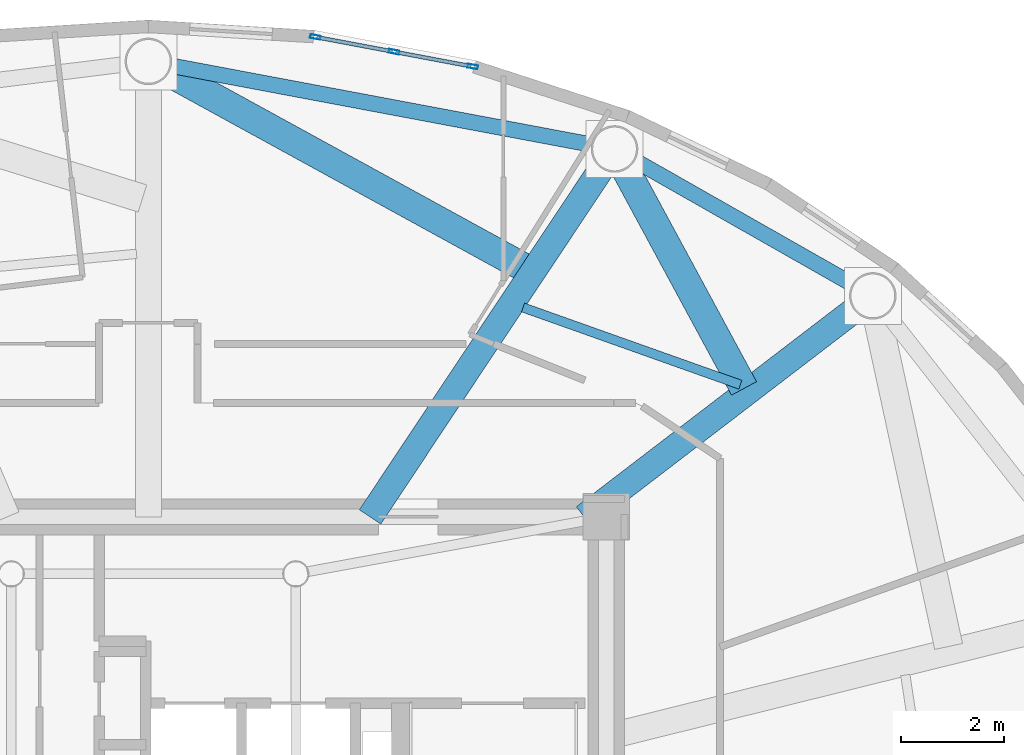
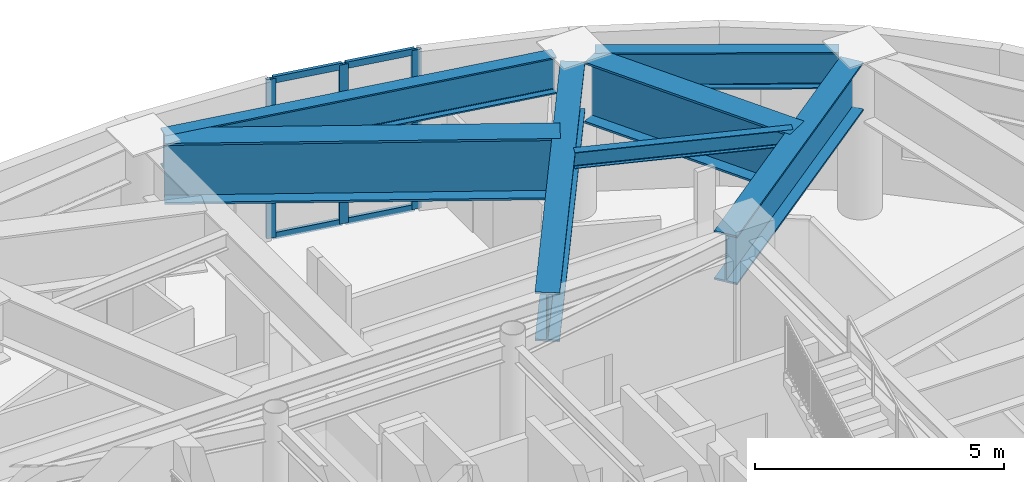
# One storey, part 10 of 23: 7 beams, 7 members, 1 element without a shape of its own.
"""IFC4 building model written with IfcOpenShell, lengths in metres."""

from ifc_helpers import new_model, si_unit, direction, frame, origin, origin_2d, place, context, subcontext, project, spatial, hollow_rectangle, i_section, extrude, source, transform, mapped, material, layer, layer_set, material_profile, profile_set, type_object, element, aggregate, save


model = new_model("IFC4")

# Units and contexts
model_context = context("Model", 3, precision=1e-05, world=origin(), true_north=direction((0.0, 1.0)))
body_context = subcontext(model_context, "Body", "Model", "MODEL_VIEW")
ifc_project = project(units=[si_unit("LENGTHUNIT", "METRE"), si_unit("AREAUNIT", "SQUARE_METRE"), si_unit("VOLUMEUNIT", "CUBIC_METRE"), si_unit("PLANEANGLEUNIT", "RADIAN"), si_unit("MASSUNIT", "GRAM", prefix="KILO")], contexts=[model_context])

# Site, building, storey
site_placement = place(None, origin())
site = spatial("IfcSite", under=ifc_project, at=site_placement, CompositionType="ELEMENT")
building_placement = place(site_placement, origin())
building = spatial("IfcBuilding", under=site, at=building_placement, Name="Linh Dai School and Residence Tower", CompositionType="ELEMENT")
storey_placement = place(building_placement, frame((0.0, 0.0, 359.39990234375)))
storey = spatial("IfcBuildingStorey", under=building, at=storey_placement, Name="L89", CompositionType="ELEMENT", Elevation=359.39990234375)

# Beams
ifc_material_1 = material(Name="Structural Steel S355JR", Category="steel")
ifc_material_profile_1 = material_profile(ifc_material_1, i_section(OverallWidth=0.300048828125, OverallDepth=0.89990234375, WebThickness=0.0185546875, FlangeThickness=0.034912109375, FilletRadius=0.030029296875, at=origin_2d()), Name="HEB 900")
ifc_profile_set_1 = profile_set([ifc_material_profile_1], Name="Structural Steel S355JR")
beam_type_1 = type_object("IfcBeamType", Name="BM-RG9", PredefinedType="BEAM", material=ifc_profile_set_1)
beam_1_placement = place(storey_placement, frame((49.637451171875, 37.930419921875, 3.4501953125), z_axis=(-0.86923725405, 0.494395182189, 0.0), x_axis=(-0.494395182189, -0.86923725405, 0.0)))
element("IfcBeam", 1, at=beam_1_placement, inside=storey, type_object=beam_type_1, Name="L89 Perimeter Elliptical Ring Beam 03", PredefinedType="BEAM", context=body_context, shape_type="SweptSolid", body=[
    extrude(i_section(OverallWidth=0.300048828125, OverallDepth=0.89990234375, WebThickness=0.0185546875, FlangeThickness=0.034912109375, FilletRadius=0.030029296875, at=origin_2d()), origin(), (0.0, 0.0, 1.0), 4.903076171875),
])
beam_2_placement = place(storey_placement, frame((44.597412109375, 40.6396484375, 3.4501953125), z_axis=(-0.98280175603, 0.184663771066, 0.0), x_axis=(-0.184663771066, -0.98280175603, 0.0)))
element("IfcBeam", 2, at=beam_2_placement, inside=storey, type_object=beam_type_1, Name="L89 Perimeter Elliptical Ring Beam 04", PredefinedType="BEAM", context=body_context, shape_type="SweptSolid", body=[
    extrude(i_section(OverallWidth=0.300048828125, OverallDepth=0.89990234375, WebThickness=0.0185546875, FlangeThickness=0.034912109375, FilletRadius=0.030029296875, at=origin_2d()), origin(), (0.0, 0.0, 1.0), 8.327880859375),
])
ifc_material_profile_2 = material_profile(ifc_material_1, i_section(OverallWidth=0.179931640625, OverallDepth=0.39990234375, WebThickness=0.008544921875, FlangeThickness=0.013427734375, FilletRadius=0.02099609375, at=origin_2d()), Name="IPE 400")
ifc_profile_set_2 = profile_set([ifc_material_profile_2], Name="Structural Steel S355JR")
beam_type_2 = type_object("IfcBeamType", Name="BM-SB40", PredefinedType="BEAM", material=ifc_profile_set_2)
beam_3_placement = place(storey_placement, frame((47.442138671875, 36.005126953125, 3.7001953125), z_axis=(-0.942236588592, 0.334948072273, 0.0), x_axis=(-0.334948072273, -0.942236588592, 0.0)))
element("IfcBeam", 3, at=beam_3_placement, inside=storey, type_object=beam_type_2, Name="L89 Secondary Circumferential Floor Beam 02", PredefinedType="BEAM", context=body_context, shape_type="SweptSolid", body=[
    extrude(i_section(OverallWidth=0.179931640625, OverallDepth=0.39990234375, WebThickness=0.008544921875, FlangeThickness=0.013427734375, FilletRadius=0.02099609375, at=origin_2d()), origin(), (0.0, 0.0, 1.0), 4.457275390625),
])
ifc_material_profile_3 = material_profile(ifc_material_1, i_section(OverallWidth=0.5, OverallDepth=1.199951171875, WebThickness=0.02392578125, FlangeThickness=0.044921875, at=origin_2d()), Name="PG 1200x500x24x45")
ifc_profile_set_3 = profile_set([ifc_material_profile_3], Name="Structural Steel S355JR")
beam_type_3 = type_object("IfcBeamType", Name="BM-TG12", PredefinedType="BEAM", material=ifc_profile_set_3)
beam_4_placement = place(storey_placement, frame((44.4228515625, 33.449951171875, 3.300048828125), z_axis=(0.793929753809, 0.608009495006, 0.0), x_axis=(-0.608009495006, 0.793929753809, 0.0)))
element("IfcBeam", 4, at=beam_4_placement, inside=storey, type_object=beam_type_3, Name="L89 Radial Setback Transfer Girder 03", PredefinedType="BEAM", context=body_context, shape_type="SweptSolid", body=[
    extrude(i_section(OverallWidth=0.5, OverallDepth=1.199951171875, WebThickness=0.02392578125, FlangeThickness=0.044921875, at=origin_2d()), origin(), (0.0, 0.0, 1.0), 6.607666015625),
])
beam_5_placement = place(storey_placement, frame((40.28515625, 33.449951171875, 3.300048828125), z_axis=(0.553380967678, 0.832928270989, 0.0), x_axis=(-0.832928270989, 0.553380967678, 0.0)))
element("IfcBeam", 5, at=beam_5_placement, inside=storey, type_object=beam_type_3, Name="L89 Radial Setback Transfer Girder 04", PredefinedType="BEAM", context=body_context, shape_type="SweptSolid", body=[
    extrude(i_section(OverallWidth=0.5, OverallDepth=1.199951171875, WebThickness=0.02392578125, FlangeThickness=0.044921875, at=origin_2d()), origin(), (0.0, 0.0, 1.0), 8.11865234375),
])
ifc_material_profile_4 = material_profile(ifc_material_1, i_section(OverallWidth=0.550048828125, OverallDepth=1.5, WebThickness=0.028076171875, FlangeThickness=0.050048828125, at=origin_2d()), Name="PG 1500x550x28x50")
ifc_profile_set_4 = profile_set([ifc_material_profile_4], Name="Structural Steel S355JR")
beam_type_4 = type_object("IfcBeamType", Name="BM-TG15", PredefinedType="BEAM", material=ifc_profile_set_4)
beam_6_placement = place(storey_placement, frame((47.51318359375, 35.934326171875, 3.150146484375), z_axis=(-0.475707939477, 0.879603294854, 0.0), x_axis=(-0.879603294854, -0.475707939477, 0.0)))
element("IfcBeam", 6, at=beam_6_placement, inside=storey, type_object=beam_type_4, Name="L89 Setback Diaphragm Transfer Girder 03", PredefinedType="BEAM", context=body_context, shape_type="SweptSolid", body=[
    extrude(i_section(OverallWidth=0.550048828125, OverallDepth=1.5, WebThickness=0.028076171875, FlangeThickness=0.050048828125, at=origin_2d()), origin(), (0.0, 0.0, 1.0), 4.841064453125),
])
beam_7_placement = place(storey_placement, frame((43.342041015625, 38.22900390625, 3.150146484375), z_axis=(-0.87683411606, 0.480793025025, 0.0), x_axis=(-0.480793025025, -0.87683411606, 0.0)))
element("IfcBeam", 7, at=beam_7_placement, inside=storey, type_object=beam_type_4, Name="L89 Setback Diaphragm Transfer Girder 04", PredefinedType="BEAM", context=body_context, shape_type="SweptSolid", body=[
    extrude(i_section(OverallWidth=0.550048828125, OverallDepth=1.5, WebThickness=0.028076171875, FlangeThickness=0.050048828125, at=origin_2d()), origin(), (0.0, 0.0, 1.0), 7.953369140625),
])

# Curtain wall, members
ifc_material_2 = material(Name="Aluminium Anodised Curtain Wall", Category="aluminium")
ifc_layer = layer(ifc_material_2, 0.199951171875)
ifc_layer_set = layer_set([ifc_layer], Name="Aluminium Anodised Curtain Wall")
curtain_wall_type = type_object("IfcCurtainWallType", Name="CW-SYS-6", PredefinedType="USERDEFINED", material=ifc_layer_set)
curtain_wall_placement = place(storey_placement, origin())
curtain_wall = element("IfcCurtainWall", 8, at=curtain_wall_placement, inside=storey, type_object=curtain_wall_type, Name="L89 CW6 Curtain Wall 09", ObjectType="UNITISED CURTAIN WALL", PredefinedType="USERDEFINED")
ifc_material_3 = material(Name="Aluminium Alloy 6063-T6", Category="aluminium")
ifc_material_profile_5 = material_profile(ifc_material_3, hollow_rectangle(XDim=0.074951171875, YDim=0.159912109375, WallThickness=0.00390625, at=origin_2d()), Name="RHS 160x75x4")
ifc_profile_set_5 = profile_set([ifc_material_profile_5], Name="Aluminium Alloy 6063-T6")
member_type_1 = type_object("IfcMemberType", Name="CW-SYS-6-TRN", PredefinedType="USERDEFINED", material=ifc_profile_set_5)
shared_shape_1 = source(origin(), body_context, "Body", "SweptSolid", [
    extrude(hollow_rectangle(XDim=0.074951171875, YDim=0.159912109375, WallThickness=0.00390625, at=origin_2d()), origin(), (0.0, 0.0, 1.0), 1.47119140625),
])
member_1_placement = place(storey_placement, frame((39.26513671875, 42.719482421875, 0.03759765625), z_axis=(0.982763050939, -0.184869645178, 0.0), x_axis=(0.184869645178, 0.982763050939, 0.0)))
member_1 = element("IfcMember", 9, at=member_1_placement, type_object=member_type_1, Name="CW6 transom 1.1", ObjectType="TRANSOM", PredefinedType="USERDEFINED", context=body_context, shape_type="MappedRepresentation", body=[
    mapped(shared_shape_1, transform((0.0, 0.0, 0.0), x_axis=(1.0, 0.0, 0.0), y_axis=(0.0, 1.0, 0.0), z_axis=(0.0, 0.0, 1.0), scale=1.0)),
])
member_2_placement = place(storey_placement, frame((39.26513671875, 42.719482421875, 3.862548828125), z_axis=(0.982763050939, -0.184869645178, 0.0), x_axis=(0.184869645178, 0.982763050939, 0.0)))
member_2 = element("IfcMember", 10, at=member_2_placement, type_object=member_type_1, Name="CW6 transom 1.2", ObjectType="TRANSOM", PredefinedType="USERDEFINED", context=body_context, shape_type="MappedRepresentation", body=[
    mapped(shared_shape_1, transform((0.0, 0.0, 0.0), x_axis=(1.0, 0.0, 0.0), y_axis=(0.0, 1.0, 0.0), z_axis=(0.0, 0.0, 1.0), scale=1.0)),
])
shared_shape_2 = source(origin(), body_context, "Body", "SweptSolid", [
    extrude(hollow_rectangle(XDim=0.074951171875, YDim=0.159912109375, WallThickness=0.00390625, at=origin_2d()), origin(), (0.0, 0.0, 1.0), 1.470947265625),
])
member_3_placement = place(storey_placement, frame((40.78466796875, 42.433837890625, 0.03759765625), z_axis=(0.982757377873, -0.184899800532, 0.0), x_axis=(0.184899800532, 0.982757377873, 0.0)))
member_3 = element("IfcMember", 11, at=member_3_placement, type_object=member_type_1, Name="CW6 transom 2.1", ObjectType="TRANSOM", PredefinedType="USERDEFINED", context=body_context, shape_type="MappedRepresentation", body=[
    mapped(shared_shape_2, transform((0.0, 0.0, 0.0), x_axis=(1.0, 0.0, 0.0), y_axis=(0.0, 1.0, 0.0), z_axis=(0.0, 0.0, 1.0), scale=1.0)),
])
member_4_placement = place(storey_placement, frame((40.78466796875, 42.433837890625, 3.862548828125), z_axis=(0.982757377873, -0.184899800532, 0.0), x_axis=(0.184899800532, 0.982757377873, 0.0)))
member_4 = element("IfcMember", 12, at=member_4_placement, type_object=member_type_1, Name="CW6 transom 2.2", ObjectType="TRANSOM", PredefinedType="USERDEFINED", context=body_context, shape_type="MappedRepresentation", body=[
    mapped(shared_shape_2, transform((0.0, 0.0, 0.0), x_axis=(1.0, 0.0, 0.0), y_axis=(0.0, 1.0, 0.0), z_axis=(0.0, 0.0, 1.0), scale=1.0)),
])
ifc_material_profile_6 = material_profile(ifc_material_3, hollow_rectangle(XDim=0.074951171875, YDim=0.199951171875, WallThickness=0.00390625, at=origin_2d()), Name="RHS 200x75x4")
ifc_profile_set_6 = profile_set([ifc_material_profile_6], Name="Aluminium Alloy 6063-T6")
member_type_2 = type_object("IfcMemberType", Name="CW-SYS-6-MUL", PredefinedType="MULLION", material=ifc_profile_set_6)
shared_shape_3 = source(origin(), body_context, "Body", "SweptSolid", [
    extrude(hollow_rectangle(XDim=0.074951171875, YDim=0.199951171875, WallThickness=0.00390625, at=origin_2d()), origin(), (0.0, 0.0, 1.0), 3.900146484375),
])
member_5_placement = place(storey_placement, frame((39.228271484375, 42.726318359375, 0.0), z_axis=(0.0, 0.0, 1.0), x_axis=(0.184784564405, 0.982779051851, 0.0)))
member_5 = element("IfcMember", 13, at=member_5_placement, type_object=member_type_2, Name="CW6 mullion 1", PredefinedType="MULLION", context=body_context, shape_type="MappedRepresentation", body=[
    mapped(shared_shape_3, transform((0.0, 0.0, 0.0), x_axis=(1.0, 0.0, 0.0), y_axis=(0.0, 1.0, 0.0), z_axis=(0.0, 0.0, 1.0), scale=1.0)),
])
member_6_placement = place(storey_placement, frame((40.747802734375, 42.440673828125, 0.0), z_axis=(0.0, 0.0, 1.0), x_axis=(0.184784564405, 0.982779051851, 0.0)))
member_6 = element("IfcMember", 14, at=member_6_placement, type_object=member_type_2, Name="CW6 mullion 2", PredefinedType="MULLION", context=body_context, shape_type="MappedRepresentation", body=[
    mapped(shared_shape_3, transform((0.0, 0.0, 0.0), x_axis=(1.0, 0.0, 0.0), y_axis=(0.0, 1.0, 0.0), z_axis=(0.0, 0.0, 1.0), scale=1.0)),
])
member_7_placement = place(storey_placement, frame((42.26708984375, 42.155029296875, 0.0), z_axis=(0.0, 0.0, 1.0), x_axis=(0.184784564405, 0.982779051851, 0.0)))
member_7 = element("IfcMember", 15, at=member_7_placement, type_object=member_type_2, Name="CW6 mullion 3", PredefinedType="MULLION", context=body_context, shape_type="MappedRepresentation", body=[
    mapped(shared_shape_3, transform((0.0, 0.0, 0.0), x_axis=(1.0, 0.0, 0.0), y_axis=(0.0, 1.0, 0.0), z_axis=(0.0, 0.0, 1.0), scale=1.0)),
])
aggregate(curtain_wall, [member_5, member_6, member_7, member_1, member_2, member_3, member_4])

save(model, "model.ifc")
